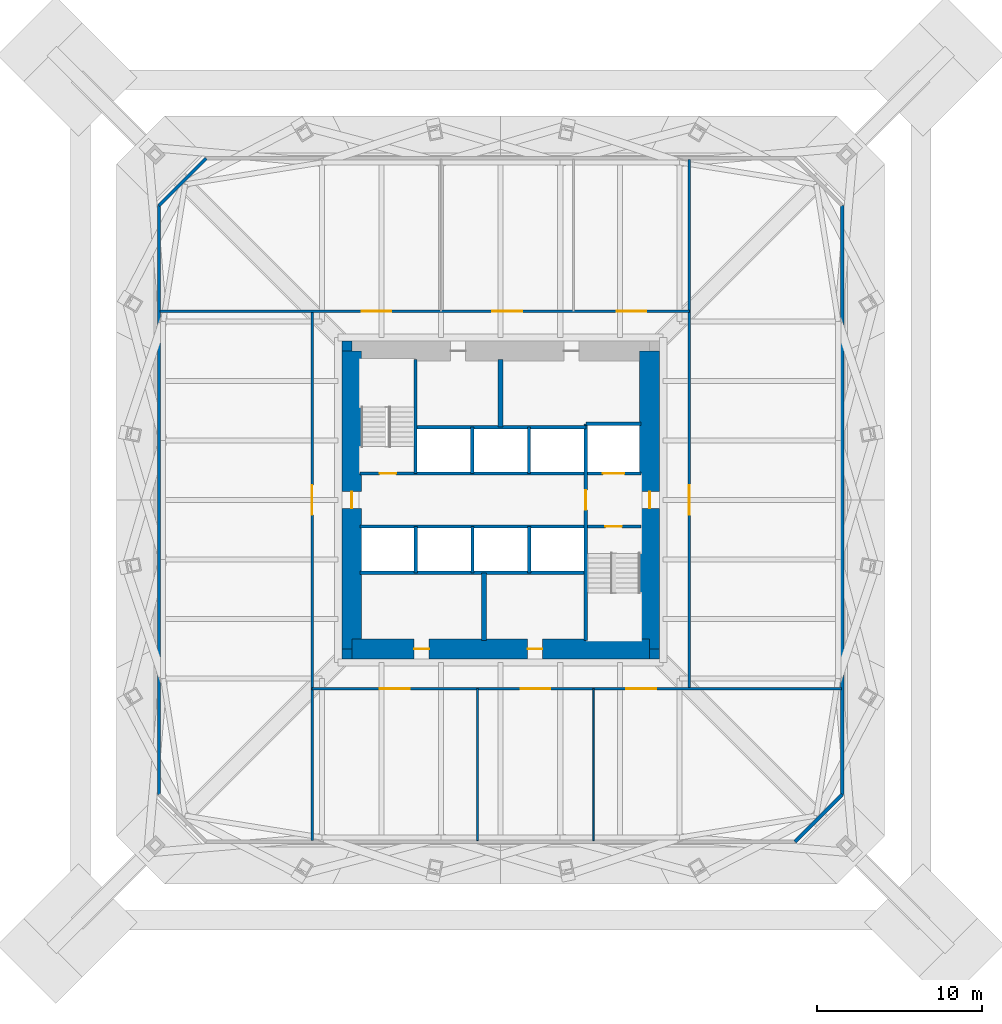
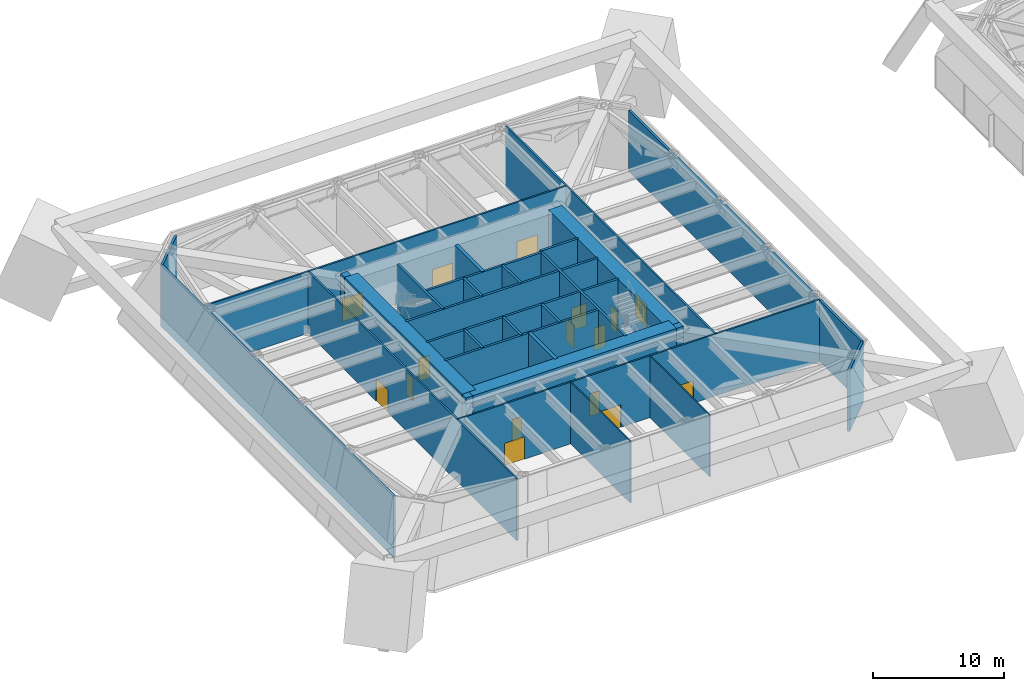
# One storey, part 9 of 16: 30 walls, 16 doors, 16 openings.
"""IFC4 building model written with IfcOpenShell, lengths in metres."""

from ifc_helpers import new_model, si_unit, direction, frame, frame_2d, origin, place, context, subcontext, project, spatial, rectangle, extrude, material, layer, layer_set, type_object, element, fill, save


model = new_model("IFC4")

# Units and contexts
model_context = context("Model", 3, precision=1e-05, world=origin(), true_north=direction((0.0, 1.0)))
body_context = subcontext(model_context, "Body", "Model", "MODEL_VIEW")
ifc_project = project(units=[si_unit("LENGTHUNIT", "METRE"), si_unit("AREAUNIT", "SQUARE_METRE"), si_unit("VOLUMEUNIT", "CUBIC_METRE"), si_unit("PLANEANGLEUNIT", "RADIAN"), si_unit("MASSUNIT", "GRAM", prefix="KILO")], contexts=[model_context])

# Site, building, storey
site_placement = place(None, origin())
site = spatial("IfcSite", under=ifc_project, at=site_placement, CompositionType="ELEMENT")
building_placement = place(site_placement, origin())
building = spatial("IfcBuilding", under=site, at=building_placement, Name="Iwan Alto Co-Living Towers", CompositionType="ELEMENT")
storey_placement = place(building_placement, frame((0.0, 0.0, 74.5)))
storey = spatial("IfcBuildingStorey", under=building, at=storey_placement, Name="L20", CompositionType="ELEMENT", Elevation=74.5)

# Wall, openings, doors
ifc_material_1 = material(Name="Gypsum board")
ifc_layer_1 = layer(ifc_material_1, 0.02490234375, Name="Board", Category="Finish")
ifc_material_2 = material(Name="Steel ASTM A1003 ST33H cold-formed studs", Category="steel")
ifc_layer_2 = layer(ifc_material_2, 0.10009765625, Name="Studs", Category="Framing")
ifc_layer_3 = layer(ifc_material_1, 0.02490234375, Name="Board", Category="Finish")
ifc_layer_set_1 = layer_set([ifc_layer_1, ifc_layer_2, ifc_layer_3], Name="CORRIDOR WALL 150")
wall_type_1 = type_object("IfcWallType", Name="CORRIDOR WALL 150", PredefinedType="PARTITIONING", material=ifc_layer_set_1)
wall_1_placement = place(storey_placement, frame((-11.39990234375, -11.39990234375, 0.0), z_axis=(0.0, 0.0, 1.0), x_axis=(1.0, 0.0, 0.0)))
wall_1 = element("IfcWall", 1, at=wall_1_placement, inside=storey, type_object=wall_type_1, Name="Partition L20", PredefinedType="PARTITIONING", context=body_context, shape_type="SweptSolid", body=[
    extrude(rectangle(XDim=31.989990234375, YDim=0.14990234375, at=frame_2d((15.9951171875, 0.0))), origin(), (0.0, 0.0, 1.0), 5.77001953125),
])
opening_1_placement = place(wall_1_placement, frame((4.10009765625, 0.0, 0.0)))
opening_1 = element("IfcOpeningElement", 2, at=opening_1_placement, cuts=wall_1, Name="Opening D9", PredefinedType="OPENING", context=body_context, shape_type="SweptSolid", body=[
    extrude(rectangle(XDim=1.800048828125, YDim=2.10009765625, at=frame_2d((0.89990234375, 1.050048828125))), frame((0.0, 0.0849609375, 0.0), z_axis=(0.0, -1.0, 0.0), x_axis=(1.0, 0.0, 0.0)), (0.0, 0.0, 1.0), 0.169921875),
])
opening_2_placement = place(wall_1_placement, frame((12.60009765625, 0.0, 0.0)))
opening_2 = element("IfcOpeningElement", 3, at=opening_2_placement, cuts=wall_1, Name="Opening D9", PredefinedType="OPENING", context=body_context, shape_type="SweptSolid", body=[
    extrude(rectangle(XDim=1.800048828125, YDim=2.10009765625, at=frame_2d((0.89990234375, 1.050048828125))), frame((0.0, 0.0849609375, 0.0), z_axis=(0.0, -1.0, 0.0), x_axis=(1.0, 0.0, 0.0)), (0.0, 0.0, 1.0), 0.169921875),
])
opening_3_placement = place(wall_1_placement, frame((19.0, 0.0, 0.0)))
opening_3 = element("IfcOpeningElement", 4, at=opening_3_placement, cuts=wall_1, Name="Opening D9", PredefinedType="OPENING", context=body_context, shape_type="SweptSolid", body=[
    extrude(rectangle(XDim=1.800048828125, YDim=2.10009765625, at=frame_2d((0.89990234375, 1.050048828125))), frame((0.0, 0.0849609375, 0.0), z_axis=(0.0, -1.0, 0.0), x_axis=(1.0, 0.0, 0.0)), (0.0, 0.0, 1.0), 0.169921875),
])
ifc_material_3 = material(Name="Steel frame with timber leaf", Category="steel")
door_type_1 = type_object("IfcDoorType", Name="LOUNGE DOOR FD30S 1800X2100", OperationType="DOUBLE_DOOR_SINGLE_SWING", PredefinedType="DOOR", material=ifc_material_3)
door_1_placement = place(opening_1_placement, frame((1.800048828125, 0.0, 0.0), z_axis=(0.0, 0.0, 1.0), x_axis=(-1.0, 0.0, 0.0)))
door_1 = element("IfcDoor", 5, at=door_1_placement, inside=storey, type_object=door_type_1, Name="Water tank room door L20", OperationType="DOUBLE_DOOR_SINGLE_SWING", OverallHeight=2.10009765625, OverallWidth=1.800048828125, PredefinedType="DOOR", context=body_context, shape_type="SweptSolid", body=[
    extrude(rectangle(XDim=1.800048828125, YDim=2.10009765625, at=frame_2d((0.89990234375, 1.050048828125))), frame((0.0, 0.02490234375, 0.0), z_axis=(0.0, -1.0, 0.0), x_axis=(1.0, 0.0, 0.0)), (0.0, 0.0, 1.0), 0.050048828125),
])
fill(opening_1, door_1)
door_2_placement = place(opening_2_placement, frame((1.800048828125, 0.0, 0.0), z_axis=(0.0, 0.0, 1.0), x_axis=(-1.0, 0.0, 0.0)))
door_2 = element("IfcDoor", 6, at=door_2_placement, inside=storey, type_object=door_type_1, Name="Plant room (heat exchangers) door L20", OperationType="DOUBLE_DOOR_SINGLE_SWING", OverallHeight=2.10009765625, OverallWidth=1.800048828125, PredefinedType="DOOR", context=body_context, shape_type="SweptSolid", body=[
    extrude(rectangle(XDim=1.800048828125, YDim=2.10009765625, at=frame_2d((0.89990234375, 1.050048828125))), frame((0.0, 0.02490234375, 0.0), z_axis=(0.0, -1.0, 0.0), x_axis=(1.0, 0.0, 0.0)), (0.0, 0.0, 1.0), 0.050048828125),
])
fill(opening_2, door_2)
door_3_placement = place(opening_3_placement, frame((1.800048828125, 0.0, 0.0), z_axis=(0.0, 0.0, 1.0), x_axis=(-1.0, 0.0, 0.0)))
door_3 = element("IfcDoor", 7, at=door_3_placement, inside=storey, type_object=door_type_1, Name="Plant room (pumps) door L20", OperationType="DOUBLE_DOOR_SINGLE_SWING", OverallHeight=2.10009765625, OverallWidth=1.800048828125, PredefinedType="DOOR", context=body_context, shape_type="SweptSolid", body=[
    extrude(rectangle(XDim=1.800048828125, YDim=2.10009765625, at=frame_2d((0.89990234375, 1.050048828125))), frame((0.0, 0.02490234375, 0.0), z_axis=(0.0, -1.0, 0.0), x_axis=(1.0, 0.0, 0.0)), (0.0, 0.0, 1.0), 0.050048828125),
])
fill(opening_3, door_3)

wall_2_placement = place(storey_placement, frame((-20.590087890625, 11.39990234375, 0.0), z_axis=(0.0, 0.0, 1.0), x_axis=(1.0, 0.0, 0.0)))
wall_2 = element("IfcWall", 8, at=wall_2_placement, inside=storey, type_object=wall_type_1, Name="Partition L20", PredefinedType="PARTITIONING", context=body_context, shape_type="SweptSolid", body=[
    extrude(rectangle(XDim=31.989990234375, YDim=0.14990234375, at=frame_2d((15.9951171875, 0.0))), origin(), (0.0, 0.0, 1.0), 5.77001953125),
])
opening_4_placement = place(wall_2_placement, frame((27.590087890625, 0.0, 0.0)))
opening_4 = element("IfcOpeningElement", 9, at=opening_4_placement, cuts=wall_2, Name="Opening D9", PredefinedType="OPENING", context=body_context, shape_type="SweptSolid", body=[
    extrude(rectangle(XDim=1.800048828125, YDim=2.10009765625, at=frame_2d((0.89990234375, 1.050048828125))), frame((0.0, 0.0849609375, 0.0), z_axis=(0.0, -1.0, 0.0), x_axis=(1.0, 0.0, 0.0)), (0.0, 0.0, 1.0), 0.169921875),
])
opening_5_placement = place(wall_2_placement, frame((20.090087890625, 0.0, 0.0)))
opening_5 = element("IfcOpeningElement", 10, at=opening_5_placement, cuts=wall_2, Name="Opening D9", PredefinedType="OPENING", context=body_context, shape_type="SweptSolid", body=[
    extrude(rectangle(XDim=1.800048828125, YDim=2.10009765625, at=frame_2d((0.89990234375, 1.050048828125))), frame((0.0, 0.0849609375, 0.0), z_axis=(0.0, -1.0, 0.0), x_axis=(1.0, 0.0, 0.0)), (0.0, 0.0, 1.0), 0.169921875),
])
opening_6_placement = place(wall_2_placement, frame((12.18994140625, 0.0, 0.0)))
opening_6 = element("IfcOpeningElement", 11, at=opening_6_placement, cuts=wall_2, Name="Opening D9", PredefinedType="OPENING", context=body_context, shape_type="SweptSolid", body=[
    extrude(rectangle(XDim=1.800048828125, YDim=2.10009765625, at=frame_2d((0.89990234375, 1.050048828125))), frame((0.0, 0.0849609375, 0.0), z_axis=(0.0, -1.0, 0.0), x_axis=(1.0, 0.0, 0.0)), (0.0, 0.0, 1.0), 0.169921875),
])
door_4_placement = place(opening_4_placement, origin())
door_4 = element("IfcDoor", 12, at=door_4_placement, inside=storey, type_object=door_type_1, Name="Transformer room door L20", OperationType="DOUBLE_DOOR_SINGLE_SWING", OverallHeight=2.10009765625, OverallWidth=1.800048828125, PredefinedType="DOOR", context=body_context, shape_type="SweptSolid", body=[
    extrude(rectangle(XDim=1.800048828125, YDim=2.10009765625, at=frame_2d((0.89990234375, 1.050048828125))), frame((0.0, 0.02490234375, 0.0), z_axis=(0.0, -1.0, 0.0), x_axis=(1.0, 0.0, 0.0)), (0.0, 0.0, 1.0), 0.050048828125),
])
fill(opening_4, door_4)
door_5_placement = place(opening_5_placement, origin())
door_5 = element("IfcDoor", 13, at=door_5_placement, inside=storey, type_object=door_type_1, Name="LV switch room door L20", OperationType="DOUBLE_DOOR_SINGLE_SWING", OverallHeight=2.10009765625, OverallWidth=1.800048828125, PredefinedType="DOOR", context=body_context, shape_type="SweptSolid", body=[
    extrude(rectangle(XDim=1.800048828125, YDim=2.10009765625, at=frame_2d((0.89990234375, 1.050048828125))), frame((0.0, 0.02490234375, 0.0), z_axis=(0.0, -1.0, 0.0), x_axis=(1.0, 0.0, 0.0)), (0.0, 0.0, 1.0), 0.050048828125),
])
fill(opening_5, door_5)
door_6_placement = place(opening_6_placement, origin())
door_6 = element("IfcDoor", 14, at=door_6_placement, inside=storey, type_object=door_type_1, Name="Plant room (air handling) door L20", OperationType="DOUBLE_DOOR_SINGLE_SWING", OverallHeight=2.10009765625, OverallWidth=1.800048828125, PredefinedType="DOOR", context=body_context, shape_type="SweptSolid", body=[
    extrude(rectangle(XDim=1.800048828125, YDim=2.10009765625, at=frame_2d((0.89990234375, 1.050048828125))), frame((0.0, 0.02490234375, 0.0), z_axis=(0.0, -1.0, 0.0), x_axis=(1.0, 0.0, 0.0)), (0.0, 0.0, 1.0), 0.050048828125),
])
fill(opening_6, door_6)

# Wall, opening, door
wall_3_placement = place(storey_placement, frame((11.39990234375, -11.39990234375, 0.0), z_axis=(0.0, 0.0, 1.0), x_axis=(0.0, 1.0, 0.0)))
wall_3 = element("IfcWall", 15, at=wall_3_placement, inside=storey, type_object=wall_type_1, Name="Partition L20", PredefinedType="PARTITIONING", context=body_context, shape_type="SweptSolid", body=[
    extrude(rectangle(XDim=31.989990234375, YDim=0.14990234375, at=frame_2d((15.9951171875, 0.0))), origin(), (0.0, 0.0, 1.0), 5.77001953125),
])
opening_7_placement = place(wall_3_placement, frame((10.5, 0.0, 0.0)))
opening_7 = element("IfcOpeningElement", 16, at=opening_7_placement, cuts=wall_3, Name="Opening D9", PredefinedType="OPENING", context=body_context, shape_type="SweptSolid", body=[
    extrude(rectangle(XDim=1.800048828125, YDim=2.10009765625, at=frame_2d((0.89990234375, 1.050048828125))), frame((0.0, 0.0849609375, 0.0), z_axis=(0.0, -1.0, 0.0), x_axis=(1.0, 0.0, 0.0)), (0.0, 0.0, 1.0), 0.169921875),
])
door_7_placement = place(opening_7_placement, origin())
door_7 = element("IfcDoor", 17, at=door_7_placement, inside=storey, type_object=door_type_1, Name="Refuge area door L20", OperationType="DOUBLE_DOOR_SINGLE_SWING", OverallHeight=2.10009765625, OverallWidth=1.800048828125, PredefinedType="DOOR", context=body_context, shape_type="SweptSolid", body=[
    extrude(rectangle(XDim=1.800048828125, YDim=2.10009765625, at=frame_2d((0.89990234375, 1.050048828125))), frame((0.0, 0.02490234375, 0.0), z_axis=(0.0, -1.0, 0.0), x_axis=(1.0, 0.0, 0.0)), (0.0, 0.0, 1.0), 0.050048828125),
])
fill(opening_7, door_7)

wall_4_placement = place(storey_placement, frame((-11.39990234375, -20.590087890625, 0.0), z_axis=(0.0, 0.0, 1.0), x_axis=(0.0, 1.0, 0.0)))
wall_4 = element("IfcWall", 18, at=wall_4_placement, inside=storey, type_object=wall_type_1, Name="Partition L20", PredefinedType="PARTITIONING", context=body_context, shape_type="SweptSolid", body=[
    extrude(rectangle(XDim=31.989990234375, YDim=0.14990234375, at=frame_2d((15.9951171875, 0.0))), origin(), (0.0, 0.0, 1.0), 5.77001953125),
])
opening_8_placement = place(wall_4_placement, frame((19.68994140625, 0.0, 0.0)))
opening_8 = element("IfcOpeningElement", 19, at=opening_8_placement, cuts=wall_4, Name="Opening D9", PredefinedType="OPENING", context=body_context, shape_type="SweptSolid", body=[
    extrude(rectangle(XDim=1.800048828125, YDim=2.10009765625, at=frame_2d((0.89990234375, 1.050048828125))), frame((0.0, 0.0849609375, 0.0), z_axis=(0.0, -1.0, 0.0), x_axis=(1.0, 0.0, 0.0)), (0.0, 0.0, 1.0), 0.169921875),
])
door_8_placement = place(opening_8_placement, frame((1.800048828125, 0.0, 0.0), z_axis=(0.0, 0.0, 1.0), x_axis=(-1.0, 0.0, 0.0)))
door_8 = element("IfcDoor", 20, at=door_8_placement, inside=storey, type_object=door_type_1, Name="Refuge area door L20", OperationType="DOUBLE_DOOR_SINGLE_SWING", OverallHeight=2.10009765625, OverallWidth=1.800048828125, PredefinedType="DOOR", context=body_context, shape_type="SweptSolid", body=[
    extrude(rectangle(XDim=1.800048828125, YDim=2.10009765625, at=frame_2d((0.89990234375, 1.050048828125))), frame((0.0, 0.02490234375, 0.0), z_axis=(0.0, -1.0, 0.0), x_axis=(1.0, 0.0, 0.0)), (0.0, 0.0, 1.0), 0.050048828125),
])
fill(opening_8, door_8)

# Walls
ifc_layer_4 = layer(ifc_material_1, 0.012451171875, Name="Board", Category="Finish")
ifc_layer_5 = layer(ifc_material_2, 0.074951171875, Name="Studs", Category="Framing")
ifc_layer_6 = layer(ifc_material_1, 0.012451171875, Name="Board", Category="Finish")
ifc_layer_set_2 = layer_set([ifc_layer_4, ifc_layer_5, ifc_layer_6], Name="PARTITION 100")
wall_type_2 = type_object("IfcWallType", Name="PARTITION 100", PredefinedType="PARTITIONING", material=ifc_layer_set_2)
for number, where, z_axis, x_axis, name in (
    (21, (5.60009765625, -20.590087890625, 0.0), (0.0, 0.0, 1.0), (0.0, 1.0, 0.0), "Partition L20"),
    (22, (-1.39990234375, -20.590087890625, 0.0), (0.0, 0.0, 1.0), (0.0, 1.0, 0.0), "Partition L20"),
):
    element("IfcWall", number, at=place(storey_placement, frame(where, z_axis=z_axis, x_axis=x_axis)), inside=storey, type_object=wall_type_2, Name=name, PredefinedType="PARTITIONING", context=body_context, shape_type="SweptSolid", body=[
        extrude(rectangle(XDim=9.190185546875, YDim=0.10009765625, at=frame_2d((4.59521484375, 0.0))), origin(), (0.0, 0.0, 1.0), 5.77001953125),
    ])
ifc_material_4 = material(Name="Aluminium 6063-T6 bronze anodised", Category="aluminium")
ifc_layer_7 = layer(ifc_material_4, 0.050048828125, Name="Louvred screen", Category="Finish")
ifc_layer_8 = layer(ifc_material_2, 0.14990234375, Name="Studs", Category="Framing")
ifc_layer_set_3 = layer_set([ifc_layer_7, ifc_layer_8], Name="PLANT PLENUM WALL 200")
wall_type_3 = type_object("IfcWallType", Name="PLANT PLENUM WALL 200", PredefinedType="PARTITIONING", material=ifc_layer_set_3)
wall_5_placement = place(storey_placement, frame((17.794921875, -20.64990234375, 0.0), z_axis=(0.0, 0.0, 1.0), x_axis=(0.707106781187, 0.707106781187, 0.0)))
element("IfcWall", 23, at=wall_5_placement, inside=storey, type_object=wall_type_3, Name="T1 plant plenum wall L20 2", PredefinedType="PARTITIONING", context=body_context, shape_type="SweptSolid", body=[
    extrude(rectangle(XDim=4.03759765625, YDim=0.199951171875, at=frame_2d((2.018798828125, 0.0))), origin(), (0.0, 0.0, 1.0), 5.699951171875),
])
wall_6_placement = place(storey_placement, frame((20.64990234375, -17.794921875, 0.0), z_axis=(0.0, 0.0, 1.0), x_axis=(0.0, 1.0, 0.0)))
element("IfcWall", 24, at=wall_6_placement, inside=storey, type_object=wall_type_3, Name="T1 plant plenum wall L20 3", PredefinedType="PARTITIONING", context=body_context, shape_type="SweptSolid", body=[
    extrude(rectangle(XDim=35.58984375, YDim=0.199951171875, at=frame_2d((17.794921875, 0.0))), origin(), (0.0, 0.0, 1.0), 5.699951171875),
])
wall_7_placement = place(storey_placement, frame((-17.794921875, 20.64990234375, 0.0), z_axis=(0.0, 0.0, 1.0), x_axis=(-0.707106781187, -0.707106781187, 0.0)))
element("IfcWall", 25, at=wall_7_placement, inside=storey, type_object=wall_type_3, Name="T1 plant plenum wall L20 6", PredefinedType="PARTITIONING", context=body_context, shape_type="SweptSolid", body=[
    extrude(rectangle(XDim=4.03759765625, YDim=0.199951171875, at=frame_2d((2.018798828125, 0.0))), origin(), (0.0, 0.0, 1.0), 5.699951171875),
])
wall_8_placement = place(storey_placement, frame((-20.64990234375, 17.794921875, 0.0), z_axis=(0.0, 0.0, 1.0), x_axis=(0.0, -1.0, 0.0)))
element("IfcWall", 26, at=wall_8_placement, inside=storey, type_object=wall_type_3, Name="T1 plant plenum wall L20 7", PredefinedType="PARTITIONING", context=body_context, shape_type="SweptSolid", body=[
    extrude(rectangle(XDim=35.58984375, YDim=0.199951171875, at=frame_2d((17.794921875, 0.0))), origin(), (0.0, 0.0, 1.0), 5.699951171875),
])
ifc_material_5 = material(Name="Concrete f'c 70 MPa", Category="concrete")
ifc_layer_9 = layer(ifc_material_5, 0.199951171875)
ifc_layer_set_4 = layer_set([ifc_layer_9], Name="SHAFT WALL 200")
wall_type_4 = type_object("IfcWallType", Name="SHAFT WALL 200", PredefinedType="SOLIDWALL", material=ifc_layer_set_4)
wall_9_placement = place(storey_placement, frame((-8.489990234375, -4.39990234375, 0.0), z_axis=(0.0, 0.0, 1.0), x_axis=(1.0, 0.0, 0.0)))
element("IfcWall", 27, at=wall_9_placement, inside=storey, type_object=wall_type_4, Name="Shaft wall L20", PredefinedType="SOLIDWALL", context=body_context, shape_type="SweptSolid", body=[
    extrude(rectangle(XDim=13.639892578125, YDim=0.199951171875, at=frame_2d((6.81982421875, 0.0))), origin(), (0.0, 0.0, 1.0), 6.0),
])

# Wall, opening, door
wall_10_placement = place(storey_placement, frame((-8.489990234375, -1.60009765625, 0.0), z_axis=(0.0, 0.0, 1.0), x_axis=(1.0, 0.0, 0.0)))
wall_10 = element("IfcWall", 28, at=wall_10_placement, inside=storey, type_object=wall_type_4, Name="Shaft wall L20", PredefinedType="SOLIDWALL", context=body_context, shape_type="SweptSolid", body=[
    extrude(rectangle(XDim=16.97998046875, YDim=0.199951171875, at=frame_2d((8.489990234375, 0.0))), origin(), (0.0, 0.0, 1.0), 6.0),
])
opening_9_placement = place(wall_10_placement, frame((14.81005859375, 0.0, 0.0)))
opening_9 = element("IfcOpeningElement", 29, at=opening_9_placement, cuts=wall_10, Name="Opening D5", PredefinedType="OPENING", context=body_context, shape_type="SweptSolid", body=[
    extrude(rectangle(XDim=1.0, YDim=2.10009765625, at=frame_2d((0.5, 1.050048828125))), frame((0.0, 0.10986328125, 0.0), z_axis=(0.0, -1.0, 0.0), x_axis=(1.0, 0.0, 0.0)), (0.0, 0.0, 1.0), 0.219970703125),
])
ifc_material_6 = material(Name="Steel frame with timber leaf", Category="steel")
door_type_2 = type_object("IfcDoorType", Name="STAIR DOOR FD120S 1000X2100", OperationType="SINGLE_SWING_LEFT", PredefinedType="DOOR", material=ifc_material_6)
door_9_placement = place(opening_9_placement, frame((1.0, 0.0, 0.0), z_axis=(0.0, 0.0, 1.0), x_axis=(-1.0, 0.0, 0.0)))
door_9 = element("IfcDoor", 30, at=door_9_placement, inside=storey, type_object=door_type_2, Name="Stair S2 door L20", OperationType="SINGLE_SWING_RIGHT", OverallHeight=2.10009765625, OverallWidth=1.0, PredefinedType="DOOR", context=body_context, shape_type="SweptSolid", body=[
    extrude(rectangle(XDim=1.0, YDim=2.10009765625, at=frame_2d((0.5, 1.050048828125))), frame((0.0, 0.02490234375, 0.0), z_axis=(0.0, -1.0, 0.0), x_axis=(1.0, 0.0, 0.0)), (0.0, 0.0, 1.0), 0.050048828125),
])
fill(opening_9, door_9)

# Wall, openings, doors
wall_11_placement = place(storey_placement, frame((-8.489990234375, 1.60009765625, 0.0), z_axis=(0.0, 0.0, 1.0), x_axis=(1.0, 0.0, 0.0)))
wall_11 = element("IfcWall", 31, at=wall_11_placement, inside=storey, type_object=wall_type_4, Name="Shaft wall L20", PredefinedType="SOLIDWALL", context=body_context, shape_type="SweptSolid", body=[
    extrude(rectangle(XDim=16.97998046875, YDim=0.199951171875, at=frame_2d((8.489990234375, 0.0))), origin(), (0.0, 0.0, 1.0), 6.0),
])
opening_10_placement = place(wall_11_placement, frame((1.169921875, 0.0, 0.0)))
opening_10 = element("IfcOpeningElement", 32, at=opening_10_placement, cuts=wall_11, Name="Opening D5", PredefinedType="OPENING", context=body_context, shape_type="SweptSolid", body=[
    extrude(rectangle(XDim=1.0, YDim=2.10009765625, at=frame_2d((0.5, 1.050048828125))), frame((0.0, 0.10986328125, 0.0), z_axis=(0.0, -1.0, 0.0), x_axis=(1.0, 0.0, 0.0)), (0.0, 0.0, 1.0), 0.219970703125),
])
opening_11_placement = place(wall_11_placement, frame((14.659912109375, 0.0, 0.0)))
opening_11 = element("IfcOpeningElement", 33, at=opening_11_placement, cuts=wall_11, Name="Opening LD2", PredefinedType="OPENING", context=body_context, shape_type="SweptSolid", body=[
    extrude(rectangle(XDim=1.300048828125, YDim=2.10009765625, at=frame_2d((0.64990234375, 1.050048828125))), frame((0.0, 0.10986328125, 0.0), z_axis=(0.0, -1.0, 0.0), x_axis=(1.0, 0.0, 0.0)), (0.0, 0.0, 1.0), 0.219970703125),
])
ifc_material_7 = material(Name="Steel frame with timber leaf", Category="steel")
door_type_3 = type_object("IfcDoorType", Name="LIFT LANDING DOOR 1300X2100", OperationType="SLIDING_TO_LEFT", PredefinedType="DOOR", material=ifc_material_7)
door_10_placement = place(opening_11_placement, origin())
door_10 = element("IfcDoor", 34, at=door_10_placement, inside=storey, type_object=door_type_3, Name="Lift FL1 landing door L20", OperationType="SLIDING_TO_LEFT", OverallHeight=2.10009765625, OverallWidth=1.300048828125, PredefinedType="DOOR", context=body_context, shape_type="SweptSolid", body=[
    extrude(rectangle(XDim=1.300048828125, YDim=2.10009765625, at=frame_2d((0.64990234375, 1.050048828125))), frame((0.0, 0.02490234375, 0.0), z_axis=(0.0, -1.0, 0.0), x_axis=(1.0, 0.0, 0.0)), (0.0, 0.0, 1.0), 0.050048828125),
])
fill(opening_11, door_10)
door_11_placement = place(opening_10_placement, origin())
door_11 = element("IfcDoor", 35, at=door_11_placement, inside=storey, type_object=door_type_2, Name="Stair S1 door L20", OperationType="SINGLE_SWING_RIGHT", OverallHeight=2.10009765625, OverallWidth=1.0, PredefinedType="DOOR", context=body_context, shape_type="SweptSolid", body=[
    extrude(rectangle(XDim=1.0, YDim=2.10009765625, at=frame_2d((0.5, 1.050048828125))), frame((0.0, 0.02490234375, 0.0), z_axis=(0.0, -1.0, 0.0), x_axis=(1.0, 0.0, 0.0)), (0.0, 0.0, 1.0), 0.050048828125),
])
fill(opening_10, door_11)

# Walls
wall_12_placement = place(storey_placement, frame((-5.14990234375, 4.39990234375, 0.0), z_axis=(0.0, 0.0, 1.0), x_axis=(1.0, 0.0, 0.0)))
element("IfcWall", 36, at=wall_12_placement, inside=storey, type_object=wall_type_4, Name="Shaft wall L20", PredefinedType="SOLIDWALL", context=body_context, shape_type="SweptSolid", body=[
    extrude(rectangle(XDim=10.2998046875, YDim=0.199951171875, at=frame_2d((5.14990234375, 0.0))), origin(), (0.0, 0.0, 1.0), 6.0),
])
wall_13_placement = place(storey_placement, frame((5.14990234375, 4.60009765625, 0.0), z_axis=(0.0, 0.0, 1.0), x_axis=(1.0, 0.0, 0.0)))
element("IfcWall", 37, at=wall_13_placement, inside=storey, type_object=wall_type_4, Name="Shaft wall L20", PredefinedType="SOLIDWALL", context=body_context, shape_type="SweptSolid", body=[
    extrude(rectangle(XDim=3.340087890625, YDim=0.199951171875, at=frame_2d((1.669921875, 0.0))), origin(), (0.0, 0.0, 1.0), 6.0),
])

# Wall, opening, door
wall_14_placement = place(storey_placement, frame((5.14990234375, -8.489990234375, 0.0), z_axis=(0.0, 0.0, 1.0), x_axis=(0.0, 1.0, 0.0)))
wall_14 = element("IfcWall", 38, at=wall_14_placement, inside=storey, type_object=wall_type_4, Name="Shaft wall L20", PredefinedType="SOLIDWALL", context=body_context, shape_type="SweptSolid", body=[
    extrude(rectangle(XDim=13.090087890625, YDim=0.199951171875, at=frame_2d((6.544921875, 0.0))), origin(), (0.0, 0.0, 1.0), 6.0),
])
opening_12_placement = place(wall_14_placement, frame((7.889892578125, 0.0, 0.0)))
opening_12 = element("IfcOpeningElement", 39, at=opening_12_placement, cuts=wall_14, Name="Opening D6", PredefinedType="OPENING", context=body_context, shape_type="SweptSolid", body=[
    extrude(rectangle(XDim=1.199951171875, YDim=2.10009765625, at=frame_2d((0.60009765625, 1.050048828125))), frame((0.0, 0.10986328125, 0.0), z_axis=(0.0, -1.0, 0.0), x_axis=(1.0, 0.0, 0.0)), (0.0, 0.0, 1.0), 0.219970703125),
])
ifc_material_8 = material(Name="Steel frame with timber leaf", Category="steel")
door_type_4 = type_object("IfcDoorType", Name="LOBBY DOOR FD120S 1200X2100", OperationType="SINGLE_SWING_LEFT", PredefinedType="DOOR", material=ifc_material_8)
door_12_placement = place(opening_12_placement, frame((1.199951171875, 0.0, 0.0), z_axis=(0.0, 0.0, 1.0), x_axis=(-1.0, 0.0, 0.0)))
door_12 = element("IfcDoor", 40, at=door_12_placement, inside=storey, type_object=door_type_4, Name="Firefighting lobby door L20", OperationType="SINGLE_SWING_RIGHT", OverallHeight=2.10009765625, OverallWidth=1.199951171875, PredefinedType="DOOR", context=body_context, shape_type="SweptSolid", body=[
    extrude(rectangle(XDim=1.199951171875, YDim=2.10009765625, at=frame_2d((0.60009765625, 1.050048828125))), frame((0.0, 0.02490234375, 0.0), z_axis=(0.0, -1.0, 0.0), x_axis=(1.0, 0.0, 0.0)), (0.0, 0.0, 1.0), 0.050048828125),
])
fill(opening_12, door_12)

# Walls
for number, where, z_axis, x_axis, name in (
    (41, (1.72509765625, -4.39990234375, 0.0), (0.0, 0.0, 1.0), (0.0, 1.0, 0.0), "Shaft wall L20"),
    (42, (1.717041015625, 1.60009765625, 0.0), (0.0, 0.0, 1.0), (0.0, 1.0, 0.0), "Shaft wall L20"),
    (43, (-1.699951171875, -4.39990234375, 0.0), (0.0, 0.0, 1.0), (0.0, 1.0, 0.0), "Shaft wall L20"),
    (44, (-1.717041015625, 1.60009765625, 0.0), (0.0, 0.0, 1.0), (0.0, 1.0, 0.0), "Shaft wall L20"),
    (45, (-5.125, -4.39990234375, 0.0), (0.0, 0.0, 1.0), (0.0, 1.0, 0.0), "Shaft wall L20"),
):
    element("IfcWall", number, at=place(storey_placement, frame(where, z_axis=z_axis, x_axis=x_axis)), inside=storey, type_object=wall_type_4, Name=name, PredefinedType="SOLIDWALL", context=body_context, shape_type="SweptSolid", body=[
        extrude(rectangle(XDim=2.7998046875, YDim=0.199951171875, at=frame_2d((1.39990234375, 0.0))), origin(), (0.0, 0.0, 1.0), 6.0),
    ])
wall_15_placement = place(storey_placement, frame((-5.14990234375, 1.60009765625, 0.0), z_axis=(0.0, 0.0, 1.0), x_axis=(0.0, 1.0, 0.0)))
element("IfcWall", 46, at=wall_15_placement, inside=storey, type_object=wall_type_4, Name="Shaft wall L20", PredefinedType="SOLIDWALL", context=body_context, shape_type="SweptSolid", body=[
    extrude(rectangle(XDim=6.889892578125, YDim=0.199951171875, at=frame_2d((3.44482421875, 0.0))), origin(), (0.0, 0.0, 1.0), 6.0),
])
ifc_material_9 = material(Name="Concrete f'c 70 MPa", Category="concrete")
ifc_layer_10 = layer(ifc_material_9, 0.300048828125)
ifc_layer_set_5 = layer_set([ifc_layer_10], Name="SHAFT WALL 300")
wall_type_5 = type_object("IfcWallType", Name="SHAFT WALL 300", PredefinedType="SOLIDWALL", material=ifc_layer_set_5)
for number, where, z_axis, x_axis, name in (
    (47, (0.0, 4.39990234375, 0.0), (0.0, 0.0, 1.0), (0.0, 1.0, 0.0), "Shaft wall L20"),
    (48, (-1.0, -8.489990234375, 0.0), (0.0, 0.0, 1.0), (0.0, 1.0, 0.0), "Shaft wall L20"),
):
    element("IfcWall", number, at=place(storey_placement, frame(where, z_axis=z_axis, x_axis=x_axis)), inside=storey, type_object=wall_type_5, Name=name, PredefinedType="SOLIDWALL", context=body_context, shape_type="SweptSolid", body=[
        extrude(rectangle(XDim=4.090087890625, YDim=0.300048828125, at=frame_2d((2.044921875, 0.0))), origin(), (0.0, 0.0, 1.0), 6.0),
    ])
ifc_material_10 = material(Name="Concrete f'c 70 MPa", Category="concrete")
ifc_layer_11 = layer(ifc_material_10, 0.60009765625)
ifc_layer_set_6 = layer_set([ifc_layer_11], Name="T1 CORE CORNER FILL 600")
wall_type_6 = type_object("IfcWallType", Name="T1 CORE CORNER FILL 600", PredefinedType="SOLIDWALL", material=ifc_layer_set_6)
for number, where, z_axis, x_axis, name in (
    (49, (-9.60009765625, -9.300048828125, 0.0), (0.0, 0.0, 1.0), (1.0, 0.0, 0.0), "T1 core corner SW L20"),
    (50, (9.0, -9.300048828125, 0.0), (0.0, 0.0, 1.0), (1.0, 0.0, 0.0), "T1 core corner SE L20"),
    (51, (-9.60009765625, 9.300048828125, 0.0), (0.0, 0.0, 1.0), (1.0, 0.0, 0.0), "T1 core corner NW L20"),
):
    element("IfcWall", number, at=place(storey_placement, frame(where, z_axis=z_axis, x_axis=x_axis)), inside=storey, type_object=wall_type_6, Name=name, PredefinedType="SOLIDWALL", context=body_context, shape_type="SweptSolid", body=[
        extrude(rectangle(XDim=0.60009765625, YDim=0.60009765625, at=frame_2d((0.300048828125, 0.0))), origin(), (0.0, 0.0, 1.0), 6.0),
    ])

# Wall, openings, doors
ifc_material_11 = material(Name="Concrete f'c 70 MPa", Category="concrete")
ifc_layer_12 = layer(ifc_material_11, 1.199951171875)
ifc_layer_set_7 = layer_set([ifc_layer_12], Name="T1 CORE WALL 1200")
wall_type_7 = type_object("IfcWallType", Name="T1 CORE WALL 1200", PredefinedType="SHEAR", material=ifc_layer_set_7)
wall_16_placement = place(storey_placement, frame((-9.0, -9.0, 0.0), z_axis=(0.0, 0.0, 1.0), x_axis=(1.0, 0.0, 0.0)))
wall_16 = element("IfcWall", 52, at=wall_16_placement, inside=storey, type_object=wall_type_7, Name="T1 core wall S L20", PredefinedType="SHEAR", context=body_context, shape_type="SweptSolid", body=[
    extrude(rectangle(XDim=18.0, YDim=1.199951171875, at=frame_2d((9.0, 0.0))), origin(), (0.0, 0.0, 1.0), 6.0),
])
opening_13_placement = place(wall_16_placement, frame((3.77490234375, 0.0, 0.0)))
opening_13 = element("IfcOpeningElement", 53, at=opening_13_placement, cuts=wall_16, Name="Opening D8", PredefinedType="OPENING", context=body_context, shape_type="SweptSolid", body=[
    extrude(rectangle(XDim=0.89990234375, YDim=2.10009765625, at=frame_2d((0.449951171875, 1.050048828125))), frame((0.0, 0.60986328125, 0.0), z_axis=(0.0, -1.0, 0.0), x_axis=(1.0, 0.0, 0.0)), (0.0, 0.0, 1.0), 1.219970703125),
])
opening_14_placement = place(wall_16_placement, frame((10.625, 0.0, 0.0)))
opening_14 = element("IfcOpeningElement", 54, at=opening_14_placement, cuts=wall_16, Name="Opening D8", PredefinedType="OPENING", context=body_context, shape_type="SweptSolid", body=[
    extrude(rectangle(XDim=0.89990234375, YDim=2.10009765625, at=frame_2d((0.449951171875, 1.050048828125))), frame((0.0, 0.60986328125, 0.0), z_axis=(0.0, -1.0, 0.0), x_axis=(1.0, 0.0, 0.0)), (0.0, 0.0, 1.0), 1.219970703125),
])
ifc_material_12 = material(Name="Steel frame with timber leaf", Category="steel")
door_type_5 = type_object("IfcDoorType", Name="RISER DOOR FD120 900X2100", OperationType="SINGLE_SWING_LEFT", PredefinedType="DOOR", material=ifc_material_12)
door_13_placement = place(opening_13_placement, origin())
door_13 = element("IfcDoor", 55, at=door_13_placement, inside=storey, type_object=door_type_5, Name="Refuse chute riser core door L20", OperationType="SINGLE_SWING_LEFT", OverallHeight=2.10009765625, OverallWidth=0.89990234375, PredefinedType="DOOR", context=body_context, shape_type="SweptSolid", body=[
    extrude(rectangle(XDim=0.89990234375, YDim=2.10009765625, at=frame_2d((0.449951171875, 1.050048828125))), frame((0.0, 0.02490234375, 0.0), z_axis=(0.0, -1.0, 0.0), x_axis=(1.0, 0.0, 0.0)), (0.0, 0.0, 1.0), 0.050048828125),
])
fill(opening_13, door_13)
door_14_placement = place(opening_14_placement, origin())
door_14 = element("IfcDoor", 56, at=door_14_placement, inside=storey, type_object=door_type_5, Name="Telecom riser core door L20", OperationType="SINGLE_SWING_LEFT", OverallHeight=2.10009765625, OverallWidth=0.89990234375, PredefinedType="DOOR", context=body_context, shape_type="SweptSolid", body=[
    extrude(rectangle(XDim=0.89990234375, YDim=2.10009765625, at=frame_2d((0.449951171875, 1.050048828125))), frame((0.0, 0.02490234375, 0.0), z_axis=(0.0, -1.0, 0.0), x_axis=(1.0, 0.0, 0.0)), (0.0, 0.0, 1.0), 0.050048828125),
])
fill(opening_14, door_14)

# Wall, opening, door
wall_17_placement = place(storey_placement, frame((9.0, -9.0, 0.0), z_axis=(0.0, 0.0, 1.0), x_axis=(0.0, 1.0, 0.0)))
wall_17 = element("IfcWall", 57, at=wall_17_placement, inside=storey, type_object=wall_type_7, Name="T1 core wall E L20", PredefinedType="SHEAR", context=body_context, shape_type="SweptSolid", body=[
    extrude(rectangle(XDim=18.0, YDim=1.199951171875, at=frame_2d((9.0, 0.0))), origin(), (0.0, 0.0, 1.0), 6.0),
])
opening_15_placement = place(wall_17_placement, frame((8.5, 0.0, 0.0)))
opening_15 = element("IfcOpeningElement", 58, at=opening_15_placement, cuts=wall_17, Name="Opening D7", PredefinedType="OPENING", context=body_context, shape_type="SweptSolid", body=[
    extrude(rectangle(XDim=1.0, YDim=2.10009765625, at=frame_2d((0.5, 1.050048828125))), frame((0.0, 0.60986328125, 0.0), z_axis=(0.0, -1.0, 0.0), x_axis=(1.0, 0.0, 0.0)), (0.0, 0.0, 1.0), 1.219970703125),
])
ifc_material_13 = material(Name="Steel frame with timber leaf", Category="steel")
door_type_6 = type_object("IfcDoorType", Name="CORE DOOR FD120S 1000X2100", OperationType="SINGLE_SWING_LEFT", PredefinedType="DOOR", material=ifc_material_13)
door_15_placement = place(opening_15_placement, origin())
door_15 = element("IfcDoor", 59, at=door_15_placement, inside=storey, type_object=door_type_6, Name="Firefighting lobby core door L20", OperationType="SINGLE_SWING_LEFT", OverallHeight=2.10009765625, OverallWidth=1.0, PredefinedType="DOOR", context=body_context, shape_type="SweptSolid", body=[
    extrude(rectangle(XDim=1.0, YDim=2.10009765625, at=frame_2d((0.5, 1.050048828125))), frame((0.0, 0.02490234375, 0.0), z_axis=(0.0, -1.0, 0.0), x_axis=(1.0, 0.0, 0.0)), (0.0, 0.0, 1.0), 0.050048828125),
])
fill(opening_15, door_15)

wall_18_placement = place(storey_placement, frame((-9.0, 9.0, 0.0), z_axis=(0.0, 0.0, 1.0), x_axis=(0.0, -1.0, 0.0)))
wall_18 = element("IfcWall", 60, at=wall_18_placement, inside=storey, type_object=wall_type_7, Name="T1 core wall W L20", PredefinedType="SHEAR", context=body_context, shape_type="SweptSolid", body=[
    extrude(rectangle(XDim=18.0, YDim=1.199951171875, at=frame_2d((9.0, 0.0))), origin(), (0.0, 0.0, 1.0), 6.0),
])
opening_16_placement = place(wall_18_placement, frame((8.5, 0.0, 0.0)))
opening_16 = element("IfcOpeningElement", 61, at=opening_16_placement, cuts=wall_18, Name="Opening D7", PredefinedType="OPENING", context=body_context, shape_type="SweptSolid", body=[
    extrude(rectangle(XDim=1.0, YDim=2.10009765625, at=frame_2d((0.5, 1.050048828125))), frame((0.0, 0.60986328125, 0.0), z_axis=(0.0, -1.0, 0.0), x_axis=(1.0, 0.0, 0.0)), (0.0, 0.0, 1.0), 1.219970703125),
])
door_16_placement = place(opening_16_placement, origin())
door_16 = element("IfcDoor", 62, at=door_16_placement, inside=storey, type_object=door_type_6, Name="Lift lobby core door L20", OperationType="SINGLE_SWING_RIGHT", OverallHeight=2.10009765625, OverallWidth=1.0, PredefinedType="DOOR", context=body_context, shape_type="SweptSolid", body=[
    extrude(rectangle(XDim=1.0, YDim=2.10009765625, at=frame_2d((0.5, 1.050048828125))), frame((0.0, 0.02490234375, 0.0), z_axis=(0.0, -1.0, 0.0), x_axis=(1.0, 0.0, 0.0)), (0.0, 0.0, 1.0), 0.050048828125),
])
fill(opening_16, door_16)

save(model, "model.ifc")
